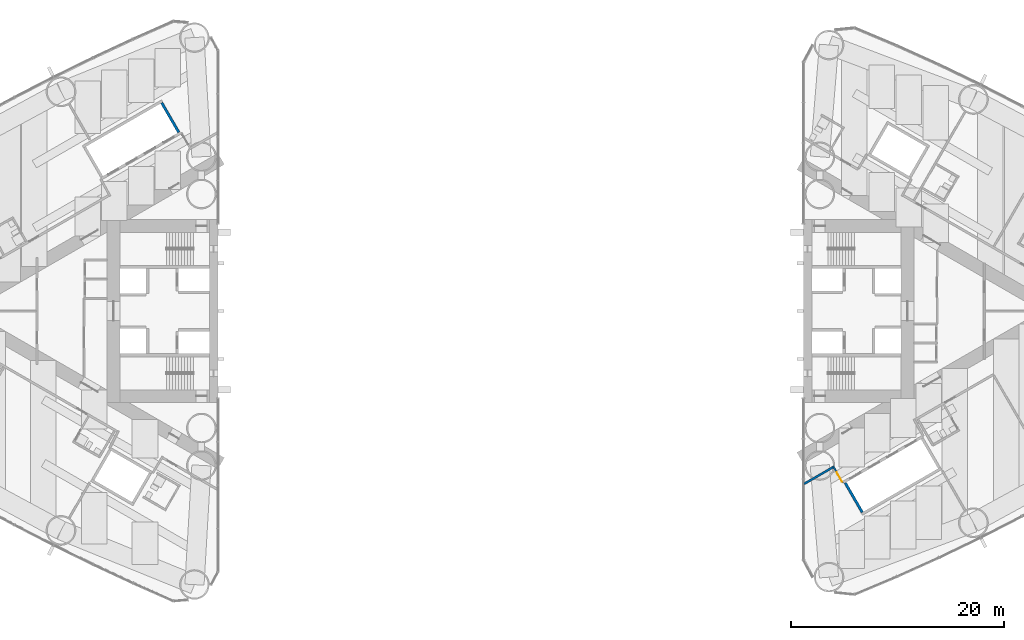
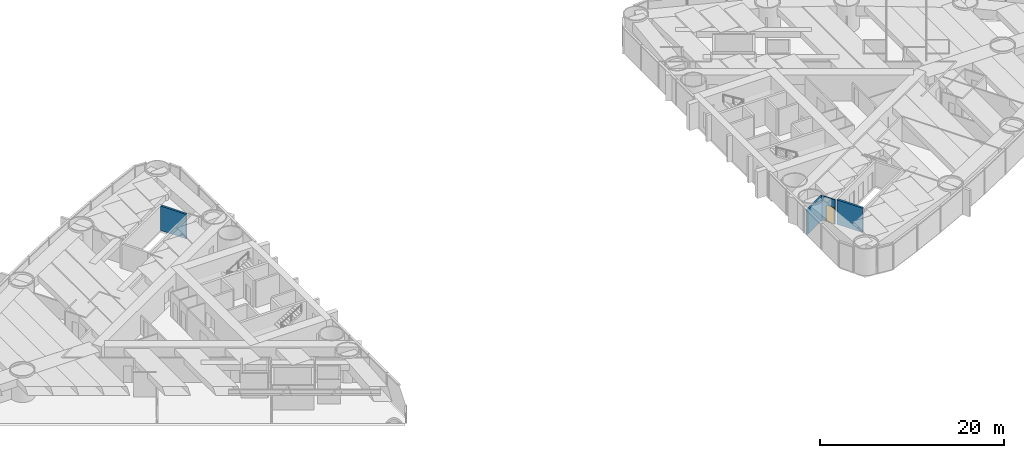
# One storey, part 13 of 19: 4 walls, 1 door, 1 opening.
"""IFC4 building model written with IfcOpenShell, lengths in metres."""

from ifc_helpers import new_model, si_unit, direction, frame, frame_2d, origin, place, context, subcontext, project, spatial, rectangle, extrude, material, layer, layer_set, type_object, element, fill, save


model = new_model("IFC4")

# Units and contexts
model_context = context("Model", 3, precision=1e-05, world=origin(), true_north=direction((0.0, 1.0)))
body_context = subcontext(model_context, "Body", "Model", "MODEL_VIEW")
ifc_project = project(units=[si_unit("LENGTHUNIT", "METRE"), si_unit("AREAUNIT", "SQUARE_METRE"), si_unit("VOLUMEUNIT", "CUBIC_METRE"), si_unit("PLANEANGLEUNIT", "RADIAN"), si_unit("MASSUNIT", "GRAM", prefix="KILO")], contexts=[model_context])

# Site, building, storey
site_placement = place(None, origin())
site = spatial("IfcSite", under=ifc_project, at=site_placement, CompositionType="ELEMENT")
building_placement = place(site_placement, origin())
building = spatial("IfcBuilding", under=site, at=building_placement, Name="Lancet Gate Hotel", CompositionType="ELEMENT")
storey_placement = place(building_placement, frame((0.0, 0.0, 25.0)))
storey = spatial("IfcBuildingStorey", under=building, at=storey_placement, Name="L05", CompositionType="ELEMENT", Elevation=25.0)

# Walls
ifc_material_1 = material(Name="Gypsum board partition")
ifc_layer_1 = layer(ifc_material_1, 0.199951171875)
ifc_layer_set_1 = layer_set([ifc_layer_1], Name="Corridor wall 200")
wall_type_1 = type_object("IfcWallType", Name="Corridor wall 200", PredefinedType="PARTITIONING", material=ifc_layer_set_1)
wall_1_placement = place(storey_placement, frame((27.572021484375, -16.240966796875, 0.0), z_axis=(0.0, 0.0, 1.0), x_axis=(0.866029654818, 0.499992636921, 0.0)))
element("IfcWall", 1, at=wall_1_placement, inside=storey, type_object=wall_type_1, Name="T2 corridor wall 200 L05", PredefinedType="PARTITIONING", context=body_context, shape_type="SweptSolid", body=[
    extrude(rectangle(XDim=3.15478515625, YDim=0.199951171875, at=frame_2d((1.577392578125, 0.0))), origin(), (0.0, 0.0, 1.0), 3.25),
])
ifc_material_2 = material(Name="Gypsum board partition")
ifc_layer_2 = layer(ifc_material_2, 0.25)
ifc_layer_set_2 = layer_set([ifc_layer_2], Name="Lift shaft partition 250")
wall_type_2 = type_object("IfcWallType", Name="Lift shaft partition 250", PredefinedType="PARTITIONING", material=ifc_layer_set_2)
for number, where, z_axis, x_axis, name in (
    (2, (-31.18115234375, 16.79296875, 0.0), (0.0, 0.0, 1.0), (-0.499929347863, 0.866066190972, 0.0), "T1 lift shaft wall LR L05"),
    (3, (31.441162109375, -16.14306640625, 0.0), (0.0, 0.0, 1.0), (0.499929347863, -0.866066190972, 0.0), "T2 lift shaft wall LR L05"),
):
    element("IfcWall", number, at=place(storey_placement, frame(where, z_axis=z_axis, x_axis=x_axis)), inside=storey, type_object=wall_type_2, Name=name, PredefinedType="PARTITIONING", context=body_context, shape_type="SweptSolid", body=[
        extrude(rectangle(XDim=3.20068359375, YDim=0.25, at=frame_2d((1.600341796875, 0.0))), origin(), (0.0, 0.0, 1.0), 3.25),
    ])

# Wall, opening, door
ifc_material_3 = material(Name="Gypsum board partition")
ifc_layer_3 = layer(ifc_material_3, 0.14990234375)
ifc_layer_set_3 = layer_set([ifc_layer_3], Name="Service room wall 150")
wall_type_3 = type_object("IfcWallType", Name="Service room wall 150", PredefinedType="PARTITIONING", material=ifc_layer_set_3)
wall_2_placement = place(storey_placement, frame((30.293212890625, -14.554443359375, 0.0), z_axis=(0.0, 0.0, 1.0), x_axis=(0.499980071345, -0.866036909293, 0.0)))
wall_2 = element("IfcWall", 4, at=wall_2_placement, inside=storey, type_object=wall_type_3, Name="T2 service room wall 150 L05", PredefinedType="PARTITIONING", context=body_context, shape_type="SweptSolid", body=[
    extrude(rectangle(XDim=1.8046875, YDim=0.14990234375, at=frame_2d((0.90234375, 0.0))), origin(), (0.0, 0.0, 1.0), 3.25),
])
opening_placement = place(wall_2_placement, frame((0.701904296875, 0.0, 0.0)))
opening = element("IfcOpeningElement", 5, at=opening_placement, cuts=wall_2, Name="Opening T2-L05-LO1", PredefinedType="OPENING", context=body_context, shape_type="SweptSolid", body=[
    extrude(rectangle(XDim=1.0, YDim=2.199951171875, at=frame_2d((0.5, 1.10009765625))), frame((0.0, 0.0849609375, 0.0), z_axis=(0.0, -1.0, 0.0), x_axis=(1.0, 0.0, 0.0)), (0.0, 0.0, 1.0), 0.169921875),
])
ifc_material_4 = material(Name="Timber door set", Category="wood")
door_type = type_object("IfcDoorType", Name="Service door 1000", OperationType="SINGLE_SWING_LEFT", PredefinedType="DOOR", material=ifc_material_4)
door_placement = place(opening_placement, origin())
door = element("IfcDoor", 6, at=door_placement, inside=storey, type_object=door_type, Name="T2-L05-LO1", OperationType="SINGLE_SWING_LEFT", OverallHeight=2.199951171875, OverallWidth=1.0, PredefinedType="DOOR", context=body_context, shape_type="SweptSolid", body=[
    extrude(rectangle(XDim=1.0, YDim=2.199951171875, at=frame_2d((0.5, 1.10009765625))), frame((0.0, 0.02490234375, 0.0), z_axis=(0.0, -1.0, 0.0), x_axis=(1.0, 0.0, 0.0)), (0.0, 0.0, 1.0), 0.050048828125),
])
fill(opening, door)

save(model, "model.ifc")
